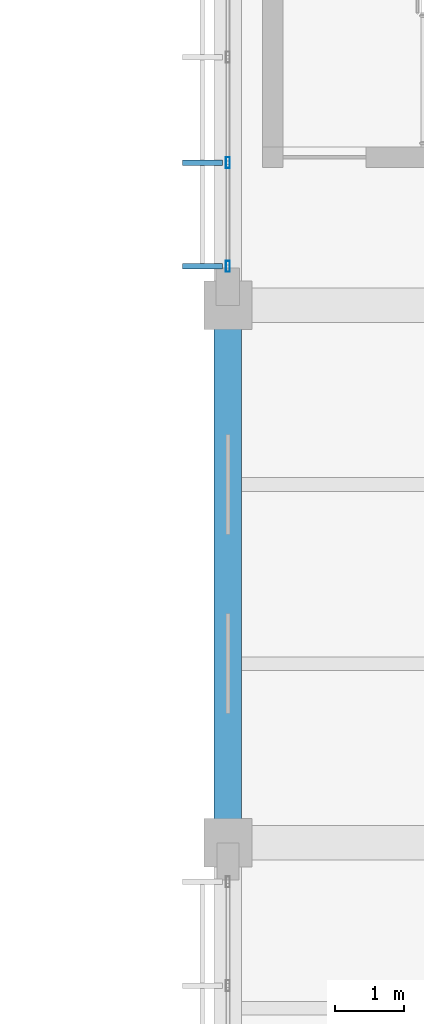
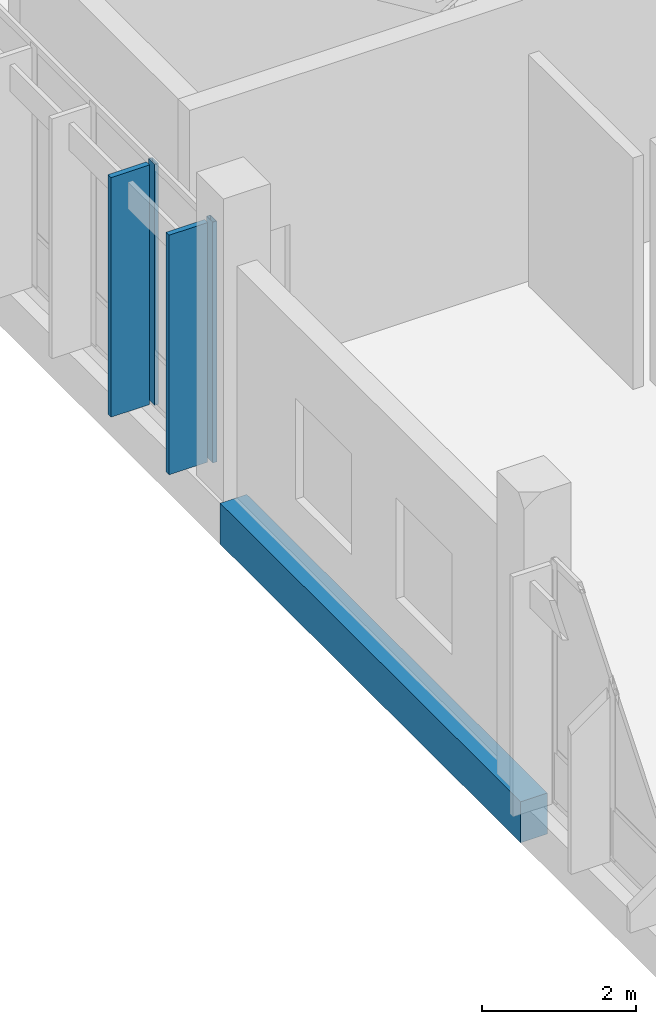
# One storey, part 90 of 177: 4 members, 1 beam, 1 element without a shape of its own.
"""IFC4 building model written with IfcOpenShell, lengths in metres."""

from ifc_helpers import new_model, si_unit, direction, frame, origin, origin_2d, place, context, subcontext, project, spatial, rectangle, hollow_rectangle, extrude, material, material_profile, profile_set, type_object, element, aggregate, save


model = new_model("IFC4")

# Units and contexts
model_context = context("Model", 3, precision=1e-05, world=origin(), true_north=direction((0.0, 1.0)))
body_context = subcontext(model_context, "Body", "Model", "MODEL_VIEW")
ifc_project = project(units=[si_unit("LENGTHUNIT", "METRE"), si_unit("AREAUNIT", "SQUARE_METRE"), si_unit("VOLUMEUNIT", "CUBIC_METRE"), si_unit("PLANEANGLEUNIT", "RADIAN"), si_unit("MASSUNIT", "GRAM", prefix="KILO")], contexts=[model_context])

# Site, building, storey
site_placement = place(None, origin())
site = spatial("IfcSite", under=ifc_project, at=site_placement, CompositionType="ELEMENT")
building_placement = place(site_placement, origin())
building = spatial("IfcBuilding", under=site, at=building_placement, Name="Chiffa Square Polytechnic", CompositionType="ELEMENT")
storey_placement = place(building_placement, frame((0.0, 0.0, 4.800048828125)))
storey = spatial("IfcBuildingStorey", under=building, at=storey_placement, Name="L01", CompositionType="ELEMENT", Elevation=4.800048828125)

# Beam
ifc_material_1 = material(Name="Concrete C35/45", Category="concrete")
ifc_material_profile_1 = material_profile(ifc_material_1, rectangle(XDim=0.39990234375, YDim=0.64990234375, at=origin_2d()), Name="RC 400x650")
ifc_profile_set_1 = profile_set([ifc_material_profile_1], Name="Concrete C35/45")
beam_type = type_object("IfcBeamType", Name="BM-RC-400X650", PredefinedType="BEAM", material=ifc_profile_set_1)
beam_placement = place(storey_placement, frame((148.199951171875, 36.0, -0.60498046875), z_axis=(0.0, 1.0, 0.0), x_axis=(-1.0, 0.0, 0.0)))
element("IfcBeam", 1, at=beam_placement, inside=storey, type_object=beam_type, Name="Primary floor girder BM-V1-L01-Y-1482-0360", PredefinedType="BEAM", context=body_context, shape_type="SweptSolid", body=[
    extrude(rectangle(XDim=0.39990234375, YDim=0.64990234375, at=origin_2d()), origin(), (0.0, 0.0, 1.0), 7.800048828125),
])

# Curtain wall, members
ifc_material_2 = material(Name="Aluminium EN AW-6060 T66 and glulam shading", Category="wood")
curtain_wall_type = type_object("IfcCurtainWallType", Name="CW-VERT-540X440", PredefinedType="USERDEFINED", material=ifc_material_2)
curtain_wall_placement = place(storey_placement, origin())
curtain_wall = element("IfcCurtainWall", 2, at=curtain_wall_placement, inside=storey, type_object=curtain_wall_type, Name="Curtain wall CW-V1-L01-127", ObjectType="CURTAIN WALL", PredefinedType="USERDEFINED")
ifc_material_3 = material(Name="Aluminium EN AW-6060 T66", Category="aluminium")
ifc_material_profile_2 = material_profile(ifc_material_3, hollow_rectangle(XDim=0.06005859375, YDim=0.159912109375, WallThickness=0.00390625, at=origin_2d()), Name="ALU 60x160x4")
ifc_profile_set_2 = profile_set([ifc_material_profile_2], Name="Aluminium EN AW-6060 T66")
member_type_1 = type_object("IfcMemberType", Name="CWM-ALU-65X150", PredefinedType="MULLION", material=ifc_profile_set_2)
member_1_placement = place(storey_placement, frame((148.199951171875, 45.8701171875, 0.0), z_axis=(0.0, 0.0, 1.0), x_axis=(1.0, 0.0, 0.0)))
member_1 = element("IfcMember", 3, at=member_1_placement, type_object=member_type_1, Name="Curtain wall mullion CW-V1-L01-127-M03", PredefinedType="MULLION", context=body_context, shape_type="SweptSolid", body=[
    extrude(hollow_rectangle(XDim=0.06005859375, YDim=0.159912109375, WallThickness=0.00390625, at=origin_2d()), origin(), (0.0, 0.0, 1.0), 3.81494140625),
])
member_2_placement = place(storey_placement, frame((148.199951171875, 44.364990234375, 0.0), z_axis=(0.0, 0.0, 1.0), x_axis=(1.0, 0.0, 0.0)))
member_2 = element("IfcMember", 4, at=member_2_placement, type_object=member_type_1, Name="Curtain wall mullion CW-V1-L01-127-M04", PredefinedType="MULLION", context=body_context, shape_type="SweptSolid", body=[
    extrude(hollow_rectangle(XDim=0.06005859375, YDim=0.159912109375, WallThickness=0.00390625, at=origin_2d()), origin(), (0.0, 0.0, 1.0), 3.81494140625),
])
ifc_material_4 = material(Name="Glulam GL28h", Category="wood")
ifc_material_profile_3 = material_profile(ifc_material_4, rectangle(XDim=0.080078125, YDim=0.580078125, at=origin_2d()), Name="GL28h 80x580")
ifc_profile_set_3 = profile_set([ifc_material_profile_3], Name="Glulam GL28h")
member_type_2 = type_object("IfcMemberType", Name="CWM-GL-80X580", PredefinedType="MULLION", material=ifc_profile_set_3)
member_3_placement = place(storey_placement, frame((147.827880859375, 45.8701171875, 0.010009765625), z_axis=(0.0, 0.0, 1.0), x_axis=(0.0, -1.0, 0.0)))
member_3 = element("IfcMember", 5, at=member_3_placement, type_object=member_type_2, Name="Exterior glulam solar fin CW-V1-L01-127-FN03", PredefinedType="MULLION", context=body_context, shape_type="SweptSolid", body=[
    extrude(rectangle(XDim=0.080078125, YDim=0.580078125, at=origin_2d()), origin(), (0.0, 0.0, 1.0), 3.794921875),
])
member_4_placement = place(storey_placement, frame((147.827880859375, 44.364990234375, 0.010009765625), z_axis=(0.0, 0.0, 1.0), x_axis=(0.0, -1.0, 0.0)))
member_4 = element("IfcMember", 6, at=member_4_placement, type_object=member_type_2, Name="Exterior glulam solar fin CW-V1-L01-127-FN04", PredefinedType="MULLION", context=body_context, shape_type="SweptSolid", body=[
    extrude(rectangle(XDim=0.080078125, YDim=0.580078125, at=origin_2d()), origin(), (0.0, 0.0, 1.0), 3.794921875),
])
aggregate(curtain_wall, [member_1, member_3, member_2, member_4])

save(model, "model.ifc")
